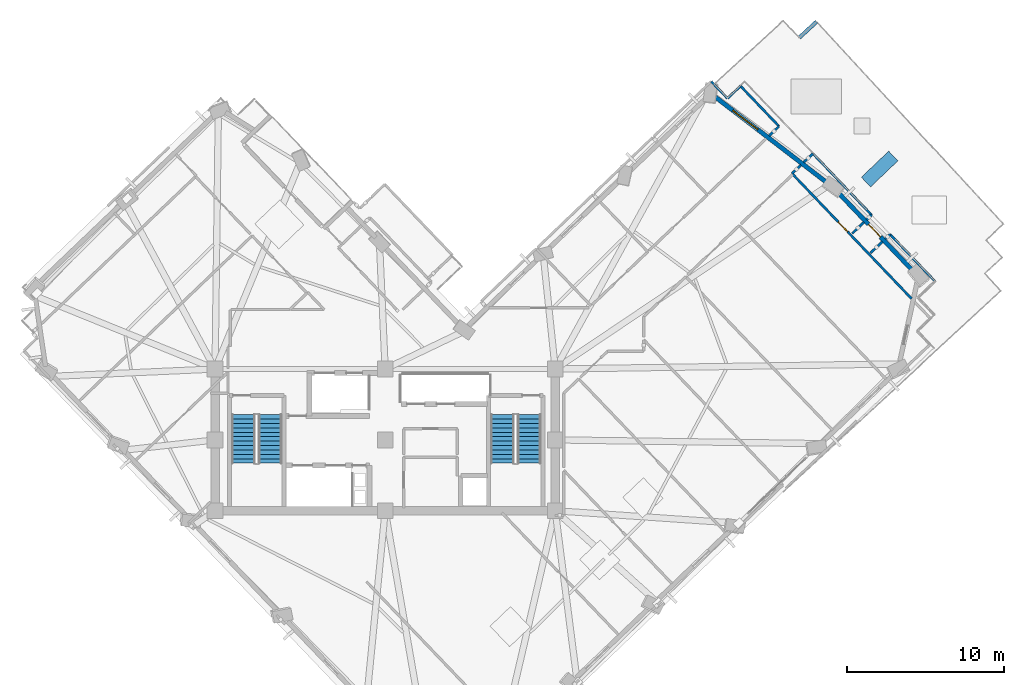
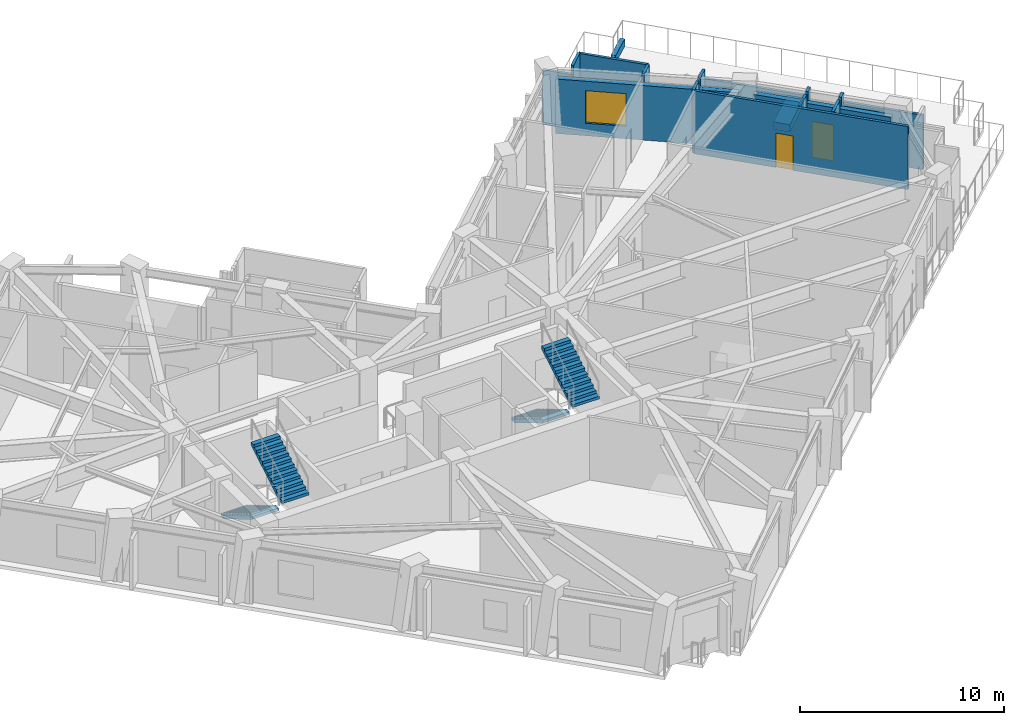
# One storey, part 12 of 17: 16 walls, 4 stair flights, 2 doors, 1 discrete accessory, 1 window, 3 openings, 2 elements without a shape of their own.
"""IFC4 building model written with IfcOpenShell, lengths in metres."""

import ifcopenshell
import ifcopenshell.guid

model = None  # the IFC model being written
_history = None  # IfcOwnerHistory: only IFC2X3 demands one
_inside = {}  # id of a spatial element -> (the spatial element, [elements in it])
_under = {}  # id of a project, library or spatial element -> (it, [spatial elements below it])
_declared = {}  # id of a project -> (the project, [libraries it declares])
_typed = {}  # id of a type object -> (the type object, [elements of that type])
_made_of = {}  # id of a material, layer set ... -> (it, [elements and type objects made of it])


def new_model(schema):
    """Start an empty IFC model of exactly this schema.

    Asked for "IFC4X3", IfcOpenShell would pick the latest addendum, in which some entities
    have other attributes; the version numbers below select the first issue.
    IFC2X3 requires an IfcOwnerHistory on every rooted entity: one is made here for all.
    """
    global model, _history
    if schema == "IFC4X3":
        model = ifcopenshell.file(schema_version=(4, 3, 0, 0))
    else:
        model = ifcopenshell.file(schema=schema)
    _inside.clear()
    _under.clear()
    _declared.clear()
    _typed.clear()
    _made_of.clear()
    _history = None
    if model.schema == "IFC2X3":
        org = make("IfcOrganization", Name="unknown")
        user = make(
            "IfcPersonAndOrganization",
            ThePerson=make("IfcPerson", FamilyName="unknown"),
            TheOrganization=org,
        )
        app = make(
            "IfcApplication",
            ApplicationDeveloper=org,
            Version="unknown",
            ApplicationFullName="unknown",
            ApplicationIdentifier="unknown",
        )
        _history = make(
            "IfcOwnerHistory",
            OwningUser=user,
            OwningApplication=app,
            ChangeAction="ADDED",
            CreationDate=0,
        )
    return model


def make(cls, **values):
    """One entity of the class cls with the attributes given. An attribute that is None is left unset."""
    return model.create_entity(
        cls, **{name: value for name, value in values.items() if value is not None}
    )


def rooted(cls, **values):
    """An entity with a GlobalId (a new one), such as an element, a storey or a relation."""
    return make(cls, GlobalId=ifcopenshell.guid.new(), OwnerHistory=_history, **values)


def si_unit(unit_type, name, prefix=None):
    """IfcSIUnit, for example si_unit("LENGTHUNIT", "METRE", prefix="MILLI")."""
    return make("IfcSIUnit", UnitType=unit_type, Prefix=prefix, Name=name)


def assignment(units):
    """IfcUnitAssignment: the units of a project."""
    return None if units is None else make("IfcUnitAssignment", Units=units)


def point(xyz):
    """IfcCartesianPoint."""
    return None if xyz is None else make("IfcCartesianPoint", Coordinates=xyz)


def direction(xyz):
    """IfcDirection."""
    return None if xyz is None else make("IfcDirection", DirectionRatios=xyz)


def frame(location, z_axis=None, x_axis=None):
    """IfcAxis2Placement3D, a coordinate frame: its origin and axes. An axis left out is left unset."""
    return make(
        "IfcAxis2Placement3D",
        Location=point(location),
        Axis=direction(z_axis),
        RefDirection=direction(x_axis),
    )


def frame_2d(location, x_axis=None):
    """IfcAxis2Placement2D, a coordinate frame in the plane: its origin and x axis."""
    return make(
        "IfcAxis2Placement2D", Location=point(location), RefDirection=direction(x_axis)
    )


def origin():
    """The frame at (0, 0, 0) with its axes left unset."""
    return frame((0.0, 0.0, 0.0))


def origin_2d():
    """The frame at (0, 0) in the plane with its x axis left unset."""
    return frame_2d((0.0, 0.0))


def place(relative_to, where):
    """IfcLocalPlacement: puts the frame where relative to a parent placement (None: the world)."""
    return make(
        "IfcLocalPlacement", PlacementRelTo=relative_to, RelativePlacement=where
    )


def context(
    kind, dimensions, precision=None, world=None, true_north=None, identifier=None
):
    """IfcGeometricRepresentationContext, for example the 3D "Model" context."""
    return make(
        "IfcGeometricRepresentationContext",
        ContextIdentifier=identifier,
        ContextType=kind,
        CoordinateSpaceDimension=dimensions,
        Precision=precision,
        WorldCoordinateSystem=world,
        TrueNorth=true_north,
    )


def subcontext(parent, identifier, kind, view, scale=None):
    """IfcGeometricRepresentationSubContext, for example "Body" below "Model"."""
    return make(
        "IfcGeometricRepresentationSubContext",
        ContextIdentifier=identifier,
        ContextType=kind,
        ParentContext=parent,
        TargetScale=scale,
        TargetView=view,
    )


def project(units=None, contexts=None):
    """IfcProject with its units and contexts."""
    return rooted(
        "IfcProject",
        Name="project",
        RepresentationContexts=contexts,
        UnitsInContext=assignment(units),
    )


def spatial(cls, under=None, at=None, **own):
    """A site, building, storey or space (cls), placed at a placement, below another one or the project."""
    s = rooted(cls, ObjectPlacement=at, **own)
    if under is not None:
        _under.setdefault(under.id(), (under, []))[1].append(s)
    return s


def polyline(points):
    """IfcPolyline through the points."""
    return make("IfcPolyline", Points=[point(p) for p in points])


def profile(cls, at=None, kind="AREA", **sizes):
    """A parametric profile (cls). Its sizes go by their IFC names, for example OverallWidth=200.0."""
    return make(cls, ProfileType=kind, Position=at, **sizes)


def rectangle(**sizes):
    """IfcRectangleProfileDef."""
    return profile("IfcRectangleProfileDef", **sizes)


def outline(outer, holes=None, kind="AREA"):
    """IfcArbitraryClosedProfileDef: a profile drawn as a closed curve; with holes, ...WithVoids."""
    if holes is None:
        return make("IfcArbitraryClosedProfileDef", ProfileType=kind, OuterCurve=outer)
    return make(
        "IfcArbitraryProfileDefWithVoids",
        ProfileType=kind,
        OuterCurve=outer,
        InnerCurves=holes,
    )


def extrude(swept, where, along, depth):
    """IfcExtrudedAreaSolid: the profile swept, set in the frame where, extruded along a direction by depth."""
    return make(
        "IfcExtrudedAreaSolid",
        SweptArea=swept,
        Position=where,
        ExtrudedDirection=direction(along),
        Depth=depth,
    )


def shape(context_of_items, identifier, shape_type, items):
    """IfcShapeRepresentation: the items that make up one representation, for example the "Body"."""
    return make(
        "IfcShapeRepresentation",
        ContextOfItems=context_of_items,
        RepresentationIdentifier=identifier,
        RepresentationType=shape_type,
        Items=items,
    )


def material(Name=None, Category=None):
    """IfcMaterial."""
    return make("IfcMaterial", Name=Name, Category=Category)


def layer(
    of_material, thickness, ventilated=None, Name=None, Category=None, Priority=None
):
    """IfcMaterialLayer: one layer of a wall or slab, of a material (None: an air gap)."""
    return make(
        "IfcMaterialLayer",
        Material=of_material,
        LayerThickness=thickness,
        IsVentilated=ventilated,
        Name=Name,
        Category=Category,
        Priority=Priority,
    )


def layer_set(layers, Name=None):
    """IfcMaterialLayerSet."""
    return make("IfcMaterialLayerSet", MaterialLayers=layers, LayerSetName=Name)


def made_of(thing, what):
    """Note that an element or type object is made of a material, layer set ...; save() writes the relation."""
    if what is not None:
        _made_of.setdefault(what.id(), (what, []))[1].append(thing)
    return thing


def type_object(cls, material=None, **own):
    """A type object (cls), such as IfcWallType, which elements share."""
    return made_of(rooted(cls, **own), material)


def element(
    cls,
    number,
    at=None,
    inside=None,
    cuts=None,
    type_object=None,
    material=None,
    context=None,
    identifier="Body",
    shape_type=None,
    held_by="IfcProductDefinitionShape",
    body=None,
    shapes=None,
    **own,
):
    """One element of the class cls, such as IfcWall. Its Tag is "e" and its number.

    at: its placement. inside: the storey or other place that contains it. cuts: it is an
    opening in that element (IfcRelVoidsElement). A single representation is given by context,
    identifier, shape_type and body (its items); several are given by shapes. held_by: the class
    of the entity that holds the representations. save() writes the other relations.
    """
    e = rooted(cls, Tag="e%d" % number, ObjectPlacement=at, **own)
    if body is not None:
        shapes = [shape(context, identifier, shape_type, body)]
    if shapes is not None:
        e.Representation = make(held_by, Representations=shapes)
    if inside is not None:
        _inside.setdefault(inside.id(), (inside, []))[1].append(e)
    if cuts is not None:
        rooted(
            "IfcRelVoidsElement", RelatingBuildingElement=cuts, RelatedOpeningElement=e
        )
    if type_object is not None:
        _typed.setdefault(type_object.id(), (type_object, []))[1].append(e)
    return made_of(e, material)


def fill(opening, filler):
    """IfcRelFillsElement: the door or window that sits in an opening."""
    return rooted(
        "IfcRelFillsElement",
        RelatingOpeningElement=opening,
        RelatedBuildingElement=filler,
    )


def aggregate(whole, parts):
    """IfcRelAggregates: a whole, such as a stair, and the parts it consists of."""
    return rooted("IfcRelAggregates", RelatingObject=whole, RelatedObjects=parts)


def save(model, path):
    """Write the relations noted so far, then the file.

    IfcRelAggregates (storeys below a building ...), IfcRelContainedInSpatialStructure (elements
    in a storey), IfcRelDefinesByType, IfcRelAssociatesMaterial and IfcRelDeclares: one each for
    every whole, place, type object, material and project.
    """
    for whole, parts in _under.values():
        aggregate(whole, parts)
    for where, things in _inside.values():
        rooted(
            "IfcRelContainedInSpatialStructure",
            RelatedElements=things,
            RelatingStructure=where,
        )
    for kind, things in _typed.values():
        rooted("IfcRelDefinesByType", RelatedObjects=things, RelatingType=kind)
    for what, things in _made_of.values():
        rooted("IfcRelAssociatesMaterial", RelatedObjects=things, RelatingMaterial=what)
    for by, libraries in _declared.values():
        rooted("IfcRelDeclares", RelatingContext=by, RelatedDefinitions=libraries)
    model.write(path)


model = new_model("IFC4")

# Units and contexts
model_context = context("Model", 3, precision=1e-05, world=origin(), true_north=direction((0.0, 1.0)))
body_context = subcontext(model_context, "Body", "Model", "MODEL_VIEW")
ifc_project = project(units=[si_unit("LENGTHUNIT", "METRE"), si_unit("AREAUNIT", "SQUARE_METRE"), si_unit("VOLUMEUNIT", "CUBIC_METRE"), si_unit("PLANEANGLEUNIT", "RADIAN"), si_unit("MASSUNIT", "GRAM", prefix="KILO")], contexts=[model_context])

# Site, building, storey
site_placement = place(None, origin())
site = spatial("IfcSite", under=ifc_project, at=site_placement, CompositionType="ELEMENT")
building_placement = place(site_placement, origin())
building = spatial("IfcBuilding", under=site, at=building_placement, Name="Gaonmaruhae Medical Tower", CompositionType="ELEMENT")
storey_placement = place(building_placement, frame((0.0, 0.0, 211.199951171875)))
storey = spatial("IfcBuildingStorey", under=building, at=storey_placement, Name="L50", CompositionType="ELEMENT", Elevation=211.199951171875)

# Wall, opening, door
ifc_material_1 = material(Name="Precast concrete C45/55", Category="concrete")
ifc_layer_1 = layer(ifc_material_1, 0.280029296875)
ifc_layer_set_1 = layer_set([ifc_layer_1], Name="Precast concrete C45/55")
wall_type_1 = type_object("IfcWallType", Name="EW-280 Upper Precast Masonry-Frame Facade Wall", PredefinedType="SOLIDWALL", material=ifc_layer_set_1)
wall_1_placement = place(storey_placement, frame((53.443115234375, 28.135009765625, 0.0), z_axis=(0.0, 0.0, 1.0), x_axis=(0.690865418221, -0.722983384253, 0.0)))
wall_1 = element("IfcWall", 1, at=wall_1_placement, inside=storey, type_object=wall_type_1, Name="L50 Precast Masonry-Frame Wall E01-E02", PredefinedType="SOLIDWALL", context=body_context, shape_type="SweptSolid", body=[
    extrude(rectangle(XDim=7.04638671875, YDim=0.280029296875, at=frame_2d((3.523193359375, 0.0))), origin(), (0.0, 0.0, 1.0), 3.26513671875),
])
opening_1_placement = place(wall_1_placement, frame((2.97314453125, 0.0, 0.0)))
opening_1 = element("IfcOpeningElement", 2, at=opening_1_placement, cuts=wall_1, Name="Opening TD-01", PredefinedType="OPENING", context=body_context, shape_type="SweptSolid", body=[
    extrude(rectangle(XDim=1.10009765625, YDim=2.14990234375, at=frame_2d((0.550048828125, 1.074951171875))), frame((0.0, 0.14990234375, 0.0), z_axis=(0.0, -1.0, 0.0), x_axis=(1.0, 0.0, 0.0)), (0.0, 0.0, 1.0), 0.300048828125),
])
ifc_material_2 = material(Name="Anodised aluminium and toughened safety glass", Category="aluminium")
door_type_1 = type_object("IfcDoorType", Name="TD-01 Terrace & Sky Garden Glazed Door 1100x2150", OperationType="NOTDEFINED", PredefinedType="DOOR", material=ifc_material_2)
door_1_placement = place(opening_1_placement, origin())
door_1 = element("IfcDoor", 3, at=door_1_placement, inside=storey, type_object=door_type_1, Name="L50 Outdoor Terrace Access Door SLB-L50-SKYG1", OperationType="SINGLE_SWING_RIGHT", OverallHeight=2.14990234375, OverallWidth=1.10009765625, PredefinedType="DOOR", context=body_context, shape_type="SweptSolid", body=[
    extrude(rectangle(XDim=1.10009765625, YDim=2.14990234375, at=frame_2d((0.550048828125, 1.074951171875))), frame((0.0, 0.02490234375, 0.0), z_axis=(0.0, -1.0, 0.0), x_axis=(1.0, 0.0, 0.0)), (0.0, 0.0, 1.0), 0.050048828125),
])
fill(opening_1, door_1)

# Wall, opening, window
wall_2_placement = place(storey_placement, frame((45.702880859375, 34.1240234375, 0.0), z_axis=(0.0, 0.0, 1.0), x_axis=(0.793258339764, -0.608885216108, 0.0)))
wall_2 = element("IfcWall", 4, at=wall_2_placement, inside=storey, type_object=wall_type_1, Name="L50 Precast Masonry-Frame Wall E02-E03", PredefinedType="SOLIDWALL", context=body_context, shape_type="SweptSolid", body=[
    extrude(rectangle(XDim=9.0361328125, YDim=0.280029296875, at=frame_2d((4.51806640625, 0.0))), origin(), (0.0, 0.0, 1.0), 3.26513671875),
])
opening_2_placement = place(wall_2_placement, frame((1.478515625, 0.0, 0.75)))
opening_2 = element("IfcOpeningElement", 5, at=opening_2_placement, cuts=wall_2, Name="Opening WN-02", PredefinedType="OPENING", context=body_context, shape_type="SweptSolid", body=[
    extrude(rectangle(XDim=2.0, YDim=1.949951171875, at=frame_2d((1.0, 0.97509765625))), frame((0.0, 0.14990234375, 0.0), z_axis=(0.0, -1.0, 0.0), x_axis=(1.0, 0.0, 0.0)), (0.0, 0.0, 1.0), 0.300048828125),
])
ifc_material_3 = material(Name="Anodised aluminium and Low-E double glazing", Category="aluminium")
window_type = type_object("IfcWindowType", Name="WN-02 Double-Bed Ward Punched Window 2000x1950", PartitioningType="SINGLE_PANEL", PredefinedType="WINDOW", material=ifc_material_3)
window_placement = place(opening_2_placement, origin())
window = element("IfcWindow", 6, at=window_placement, inside=storey, type_object=window_type, Name="L50 Modular Facade Window E02", OverallHeight=1.949951171875, OverallWidth=2.0, PartitioningType="SINGLE_PANEL", PredefinedType="WINDOW", context=body_context, shape_type="SweptSolid", body=[
    extrude(rectangle(XDim=2.0, YDim=1.949951171875, at=frame_2d((1.0, 0.97509765625))), frame((0.0, 0.030029296875, 0.0), z_axis=(0.0, -1.0, 0.0), x_axis=(1.0, 0.0, 0.0)), (0.0, 0.0, 1.0), 0.06005859375),
])
fill(opening_2, window)

# Wall
ifc_layer_2 = layer(ifc_material_1, 0.239990234375)
ifc_layer_set_2 = layer_set([ifc_layer_2], Name="Precast concrete C45/55")
wall_type_2 = type_object("IfcWallType", Name="PP-240 Sky Garden & Podium Roof Parapet Wall", PredefinedType="PARAPET", material=ifc_layer_set_2)
wall_3_placement = place(storey_placement, frame((51.095947265625, 37.841064453125, 0.0), z_axis=(0.0, 0.0, 1.0), x_axis=(0.734391458886, 0.678726148837, 0.0)))
element("IfcWall", 7, at=wall_3_placement, inside=storey, type_object=wall_type_2, Name="L50 Terrace Kerb Parapet SLB-L50-SKYG1", PredefinedType="PARAPET", context=body_context, shape_type="SweptSolid", body=[
    extrude(rectangle(XDim=1.5, YDim=0.239990234375, at=frame_2d((0.75, 0.0))), origin(), (0.0, 0.0, 1.0), 0.449951171875),
])

# Wall, opening, door
ifc_material_4 = material(Name="Gypsum board partition", Category="gypsum")
ifc_layer_3 = layer(ifc_material_4, 0.14990234375)
ifc_layer_set_3 = layer_set([ifc_layer_3], Name="Gypsum board partition")
wall_type_3 = type_object("IfcWallType", Name="PW-150 Rated Clinical Corridor Partition", PredefinedType="PARTITIONING", material=ifc_layer_set_3)
wall_4_placement = place(storey_placement, frame((50.68505859375, 29.162109375, 0.0), z_axis=(0.0, 0.0, 1.0), x_axis=(0.690801446866, -0.723044508317, 0.0)))
wall_4 = element("IfcWall", 8, at=wall_4_placement, inside=storey, type_object=wall_type_3, Name="L50 Interior Partition L50-SUP09-34", PredefinedType="PARTITIONING", context=body_context, shape_type="SweptSolid", body=[
    extrude(rectangle(XDim=10.92626953125, YDim=0.14990234375, at=frame_2d((5.463134765625, 0.0))), origin(), (0.0, 0.0, 1.0), 3.780029296875),
])
opening_3_placement = place(wall_4_placement, frame((4.177490234375, 0.0, 0.0)))
opening_3 = element("IfcOpeningElement", 9, at=opening_3_placement, cuts=wall_4, Name="Opening AD-01", PredefinedType="OPENING", context=body_context, shape_type="SweptSolid", body=[
    extrude(rectangle(XDim=0.860107421875, YDim=2.06005859375, at=frame_2d((0.43017578125, 1.030029296875))), frame((0.0, 0.0849609375, 0.0), z_axis=(0.0, -1.0, 0.0), x_axis=(1.0, 0.0, 0.0)), (0.0, 0.0, 1.0), 0.169921875),
])
ifc_material_5 = material(Name="Powder-coated steel access door", Category="steel")
door_type_2 = type_object("IfcDoorType", Name="AD-01 Riser & Closet Access Fire Door 860x2060", OperationType="NOTDEFINED", PredefinedType="DOOR", material=ifc_material_5)
door_2_placement = place(opening_3_placement, origin())
door_2 = element("IfcDoor", 10, at=door_2_placement, inside=storey, type_object=door_type_2, Name="L50 Care Team Clinical Charting Office Sliding Door", OperationType="SLIDING_TO_LEFT", OverallHeight=2.06005859375, OverallWidth=0.860107421875, PredefinedType="DOOR", context=body_context, shape_type="SweptSolid", body=[
    extrude(rectangle(XDim=0.860107421875, YDim=2.06005859375, at=frame_2d((0.43017578125, 1.030029296875))), frame((0.0, 0.02490234375, 0.0), z_axis=(0.0, -1.0, 0.0), x_axis=(1.0, 0.0, 0.0)), (0.0, 0.0, 1.0), 0.050048828125),
])
fill(opening_3, door_2)

# Walls
wall_5_placement = place(storey_placement, frame((46.5400390625, 33.98388671875, 0.0), z_axis=(0.0, 0.0, 1.0), x_axis=(0.722669758254, 0.69119347545, 0.0)))
element("IfcWall", 11, at=wall_5_placement, inside=storey, type_object=wall_type_3, Name="L50 Interior Partition L50-IE05-71", PredefinedType="PARTITIONING", context=body_context, shape_type="SweptSolid", body=[
    extrude(rectangle(XDim=1.14013671875, YDim=0.14990234375, at=frame_2d((0.570068359375, 0.0))), origin(), (0.0, 0.0, 1.0), 3.780029296875),
])
wall_6_placement = place(storey_placement, frame((47.364013671875, 34.77197265625, 0.0), z_axis=(0.0, 0.0, 1.0), x_axis=(0.690823330697, -0.723023599729, 0.0)))
element("IfcWall", 12, at=wall_6_placement, inside=storey, type_object=wall_type_3, Name="L50 Interior Partition L50-IE05-72", PredefinedType="PARTITIONING", context=body_context, shape_type="SweptSolid", body=[
    extrude(rectangle(XDim=3.540771484375, YDim=0.14990234375, at=frame_2d((1.7705078125, 0.0))), origin(), (0.0, 0.0, 1.0), 3.780029296875),
])
wall_7_placement = place(storey_placement, frame((49.81005859375, 32.2119140625, 0.0), z_axis=(0.0, 0.0, 1.0), x_axis=(-0.72343750136, -0.690389876538, 0.0)))
element("IfcWall", 13, at=wall_7_placement, inside=storey, type_object=wall_type_3, Name="L50 Interior Partition L50-IE05-73", PredefinedType="PARTITIONING", context=body_context, shape_type="SweptSolid", body=[
    extrude(rectangle(XDim=0.879150390625, YDim=0.14990234375, at=frame_2d((0.439453125, 0.0))), origin(), (0.0, 0.0, 1.0), 3.780029296875),
])
wall_8_placement = place(storey_placement, frame((45.5029296875, 35.068115234375, 0.0), z_axis=(0.0, 0.0, 1.0), x_axis=(0.691230034945, -0.722634789358, 0.0)))
element("IfcWall", 14, at=wall_8_placement, inside=storey, type_object=wall_type_3, Name="L50 Interior Partition L50-IE05-76", PredefinedType="PARTITIONING", context=body_context, shape_type="SweptSolid", body=[
    extrude(rectangle(XDim=1.50048828125, YDim=0.14990234375, at=frame_2d((0.750244140625, 0.0))), origin(), (0.0, 0.0, 1.0), 3.26513671875),
])
wall_9_placement = place(storey_placement, frame((50.636962890625, 29.212890625, 0.0), z_axis=(0.0, 0.0, 1.0), x_axis=(0.722770010061, 0.691088643053, 0.0)))
element("IfcWall", 15, at=wall_9_placement, inside=storey, type_object=wall_type_3, Name="L50 Interior Partition L50-RM06-102", PredefinedType="PARTITIONING", context=body_context, shape_type="SweptSolid", body=[
    extrude(rectangle(XDim=0.7861328125, YDim=0.14990234375, at=frame_2d((0.39306640625, 0.0))), origin(), (0.0, 0.0, 1.0), 3.780029296875),
])
wall_10_placement = place(storey_placement, frame((51.373046875, 29.9169921875, 0.0), z_axis=(0.0, 0.0, 1.0), x_axis=(0.723382733555, 0.690447261414, 0.0)))
element("IfcWall", 16, at=wall_10_placement, inside=storey, type_object=wall_type_3, Name="L50 Interior Partition L50-RM06-103", PredefinedType="PARTITIONING", context=body_context, shape_type="SweptSolid", body=[
    extrude(rectangle(XDim=0.8154296875, YDim=0.14990234375, at=frame_2d((0.40771484375, 0.0))), origin(), (0.0, 0.0, 1.0), 3.780029296875),
])
wall_11_placement = place(storey_placement, frame((51.962890625, 30.47998046875, 0.0), z_axis=(0.0, 0.0, 1.0), x_axis=(0.690895641029, -0.722954502862, 0.0)))
element("IfcWall", 17, at=wall_11_placement, inside=storey, type_object=wall_type_3, Name="L50 Interior Partition L50-RM06-104", PredefinedType="PARTITIONING", context=body_context, shape_type="SweptSolid", body=[
    extrude(rectangle(XDim=5.3916015625, YDim=0.14990234375, at=frame_2d((2.69580078125, 0.0))), origin(), (0.0, 0.0, 1.0), 3.26513671875),
])
wall_12_placement = place(storey_placement, frame((55.68798828125, 26.58203125, 0.0), z_axis=(0.0, 0.0, 1.0), x_axis=(-0.7228973834, -0.690955405994, 0.0)))
element("IfcWall", 18, at=wall_12_placement, inside=storey, type_object=wall_type_3, Name="L50 Interior Partition L50-RM06-105", PredefinedType="PARTITIONING", context=body_context, shape_type="SweptSolid", body=[
    extrude(rectangle(XDim=0.435546875, YDim=0.14990234375, at=frame_2d((0.2177734375, 0.0))), origin(), (0.0, 0.0, 1.0), 3.780029296875),
])
for number, where, z_axis, x_axis, name in (
    (19, (55.20703125, 26.123046875, 0.0), (0.0, 0.0, 1.0), (-0.722851890689, -0.691002998638, 0.0), "L50 Interior Partition L50-RM06-106"),
    (20, (55.633056640625, 24.178955078125, 0.0), (0.0, 0.0, 1.0), (0.722851890689, 0.691002998638, 0.0), "L50 Interior Partition L50-RM06-107"),
):
    element("IfcWall", number, at=place(storey_placement, frame(where, z_axis=z_axis, x_axis=x_axis)), inside=storey, type_object=wall_type_3, Name=name, PredefinedType="PARTITIONING", context=body_context, shape_type="SweptSolid", body=[
        extrude(rectangle(XDim=1.034912109375, YDim=0.14990234375, at=frame_2d((0.517578125, 0.0))), origin(), (0.0, 0.0, 1.0), 3.780029296875),
    ])
wall_13_placement = place(storey_placement, frame((56.548095703125, 25.052978515625, 0.0), z_axis=(0.0, 0.0, 1.0), x_axis=(0.722947010739, 0.690903480714, 0.0)))
element("IfcWall", 21, at=wall_13_placement, inside=storey, type_object=wall_type_3, Name="L50 Interior Partition L50-RM06-108", PredefinedType="PARTITIONING", context=body_context, shape_type="SweptSolid", body=[
    extrude(rectangle(XDim=0.434326171875, YDim=0.14990234375, at=frame_2d((0.21728515625, 0.0))), origin(), (0.0, 0.0, 1.0), 3.780029296875),
])
wall_14_placement = place(storey_placement, frame((56.862060546875, 25.35302734375, 0.0), z_axis=(0.0, 0.0, 1.0), x_axis=(0.690932627738, -0.722919154489, 0.0)))
element("IfcWall", 22, at=wall_14_placement, inside=storey, type_object=wall_type_3, Name="L50 Interior Partition L50-RM06-109", PredefinedType="PARTITIONING", context=body_context, shape_type="SweptSolid", body=[
    extrude(rectangle(XDim=4.129150390625, YDim=0.14990234375, at=frame_2d((2.064453125, 0.0))), origin(), (0.0, 0.0, 1.0), 3.26513671875),
])

# Stair, stair flights
ifc_material_6 = material(Name="Concrete C40/50", Category="concrete")
stair_type = type_object("IfcStairType", Name="ST-T1 Primary Core Escape Dogleg Stair", PredefinedType="TWO_QUARTER_TURN_STAIR", material=ifc_material_6)
stair_1_placement = place(storey_placement, origin())
stair_1 = element("IfcStair", 23, at=stair_1_placement, inside=storey, type_object=stair_type, Name="L50 Protected Escape Stair ST-01", PredefinedType="TWO_QUARTER_TURN_STAIR")
stair_flight_type = type_object("IfcStairFlightType", Name="SF-T1 Primary Core Precast Stair Flight", PredefinedType="STRAIGHT", material=ifc_material_6)
stair_flight_1_placement = place(storey_placement, frame((15.800048828125, 13.89990234375, 0.0), z_axis=(0.0, 0.0, 1.0), x_axis=(0.0, -1.0, 0.0)))
stair_flight_1 = element("IfcStairFlight", 24, at=stair_flight_1_placement, type_object=stair_flight_type, Name="ST-01 flight 1", NumberOfRisers=12, NumberOfTreads=11, PredefinedType="STRAIGHT", RiserHeight=0.166666667, TreadLength=0.28, context=body_context, shape_type="SweptSolid", body=[
    extrude(outline(polyline([(0.0, 0.0), (0.0, 0.166748046875), (0.280029296875, 0.166748046875), (0.280029296875, 0.333251953125), (0.56005859375, 0.333251953125), (0.56005859375, 0.5), (0.840087890625, 0.5), (0.840087890625, 0.666748046875), (1.1201171875, 0.666748046875), (1.1201171875, 0.833251953125), (1.39990234375, 0.833251953125), (1.39990234375, 1.0), (1.679931640625, 1.0), (1.679931640625, 1.166748046875), (1.9599609375, 1.166748046875), (1.9599609375, 1.333251953125), (2.239990234375, 1.333251953125), (2.239990234375, 1.5), (2.52001953125, 1.5), (2.52001953125, 1.666748046875), (2.800048828125, 1.666748046875), (2.800048828125, 1.833251953125), (3.080078125, 1.833251953125), (3.080078125, 2.0), (3.080078125, 1.658935546875), (0.29296875, 0.0), (0.0, 0.0)])), frame((0.0, 0.75, 0.0), z_axis=(0.0, -1.0, 0.0), x_axis=(1.0, 0.0, 0.0)), (0.0, 0.0, 1.0), 1.5),
])
stair_flight_2_placement = place(storey_placement, frame((17.5, 10.820068359375, 2.0), z_axis=(0.0, 0.0, 1.0), x_axis=(0.0, 1.0, 0.0)))
stair_flight_2 = element("IfcStairFlight", 25, at=stair_flight_2_placement, type_object=stair_flight_type, Name="ST-01 flight 2", NumberOfRisers=12, NumberOfTreads=11, PredefinedType="STRAIGHT", RiserHeight=0.166666667, TreadLength=0.28, context=body_context, shape_type="SweptSolid", body=[
    extrude(outline(polyline([(0.0, 0.0), (0.0, 0.166748046875), (0.280029296875, 0.166748046875), (0.280029296875, 0.333251953125), (0.56005859375, 0.333251953125), (0.56005859375, 0.5), (0.840087890625, 0.5), (0.840087890625, 0.666748046875), (1.1201171875, 0.666748046875), (1.1201171875, 0.833251953125), (1.39990234375, 0.833251953125), (1.39990234375, 1.0), (1.679931640625, 1.0), (1.679931640625, 1.166748046875), (1.9599609375, 1.166748046875), (1.9599609375, 1.333251953125), (2.239990234375, 1.333251953125), (2.239990234375, 1.5), (2.52001953125, 1.5), (2.52001953125, 1.666748046875), (2.800048828125, 1.666748046875), (2.800048828125, 1.833251953125), (3.080078125, 1.833251953125), (3.080078125, 2.0), (3.080078125, 1.658935546875), (0.29296875, 0.0), (0.0, 0.0)])), frame((0.0, 0.75, 0.0), z_axis=(0.0, -1.0, 0.0), x_axis=(1.0, 0.0, 0.0)), (0.0, 0.0, 1.0), 1.5),
])
aggregate(stair_1, [stair_flight_1, stair_flight_2])

stair_2_placement = place(storey_placement, origin())
stair_2 = element("IfcStair", 26, at=stair_2_placement, inside=storey, type_object=stair_type, Name="L50 Protected Escape Stair ST-02", PredefinedType="TWO_QUARTER_TURN_STAIR")
stair_flight_3_placement = place(storey_placement, frame((32.25, 13.89990234375, 0.0), z_axis=(0.0, 0.0, 1.0), x_axis=(0.0, -1.0, 0.0)))
stair_flight_3 = element("IfcStairFlight", 27, at=stair_flight_3_placement, type_object=stair_flight_type, Name="ST-02 flight 1", NumberOfRisers=12, NumberOfTreads=11, PredefinedType="STRAIGHT", RiserHeight=0.166666667, TreadLength=0.28, context=body_context, shape_type="SweptSolid", body=[
    extrude(outline(polyline([(0.0, 0.0), (0.0, 0.166748046875), (0.280029296875, 0.166748046875), (0.280029296875, 0.333251953125), (0.56005859375, 0.333251953125), (0.56005859375, 0.5), (0.840087890625, 0.5), (0.840087890625, 0.666748046875), (1.1201171875, 0.666748046875), (1.1201171875, 0.833251953125), (1.39990234375, 0.833251953125), (1.39990234375, 1.0), (1.679931640625, 1.0), (1.679931640625, 1.166748046875), (1.9599609375, 1.166748046875), (1.9599609375, 1.333251953125), (2.239990234375, 1.333251953125), (2.239990234375, 1.5), (2.52001953125, 1.5), (2.52001953125, 1.666748046875), (2.800048828125, 1.666748046875), (2.800048828125, 1.833251953125), (3.080078125, 1.833251953125), (3.080078125, 2.0), (3.080078125, 1.658935546875), (0.29296875, 0.0), (0.0, 0.0)])), frame((0.0, 0.75, 0.0), z_axis=(0.0, -1.0, 0.0), x_axis=(1.0, 0.0, 0.0)), (0.0, 0.0, 1.0), 1.5),
])
stair_flight_4_placement = place(storey_placement, frame((33.949951171875, 10.820068359375, 2.0), z_axis=(0.0, 0.0, 1.0), x_axis=(0.0, 1.0, 0.0)))
stair_flight_4 = element("IfcStairFlight", 28, at=stair_flight_4_placement, type_object=stair_flight_type, Name="ST-02 flight 2", NumberOfRisers=12, NumberOfTreads=11, PredefinedType="STRAIGHT", RiserHeight=0.166666667, TreadLength=0.28, context=body_context, shape_type="SweptSolid", body=[
    extrude(outline(polyline([(0.0, 0.0), (0.0, 0.166748046875), (0.280029296875, 0.166748046875), (0.280029296875, 0.333251953125), (0.56005859375, 0.333251953125), (0.56005859375, 0.5), (0.840087890625, 0.5), (0.840087890625, 0.666748046875), (1.1201171875, 0.666748046875), (1.1201171875, 0.833251953125), (1.39990234375, 0.833251953125), (1.39990234375, 1.0), (1.679931640625, 1.0), (1.679931640625, 1.166748046875), (1.9599609375, 1.166748046875), (1.9599609375, 1.333251953125), (2.239990234375, 1.333251953125), (2.239990234375, 1.5), (2.52001953125, 1.5), (2.52001953125, 1.666748046875), (2.800048828125, 1.666748046875), (2.800048828125, 1.833251953125), (3.080078125, 1.833251953125), (3.080078125, 2.0), (3.080078125, 1.658935546875), (0.29296875, 0.0), (0.0, 0.0)])), frame((0.0, 0.75, 0.0), z_axis=(0.0, -1.0, 0.0), x_axis=(1.0, 0.0, 0.0)), (0.0, 0.0, 1.0), 1.5),
])
aggregate(stair_2, [stair_flight_3, stair_flight_4])

# Discrete accessory
discrete_accessory_type = type_object("IfcDiscreteAccessoryType", Name="PLN-01 Sky Garden Precast Botanical Planter", PredefinedType="USERDEFINED", material=ifc_material_1)
discrete_accessory_placement = place(storey_placement, frame((56.2001953125, 29.49951171875, 0.0), z_axis=(0.0, 0.0, 1.0), x_axis=(0.72296714591, 0.690882411077, 0.0)))
element("IfcDiscreteAccessory", 29, at=discrete_accessory_placement, inside=storey, type_object=discrete_accessory_type, Name="L50 Sky Garden Botanical Planter SLB-L50-SKYG1", ObjectType="PLANTER", PredefinedType="USERDEFINED", context=body_context, shape_type="SweptSolid", body=[
    extrude(rectangle(XDim=2.39990234375, YDim=0.85009765625, at=origin_2d()), origin(), (0.0, 0.0, 1.0), 0.449951171875),
])

save(model, "model.ifc")
